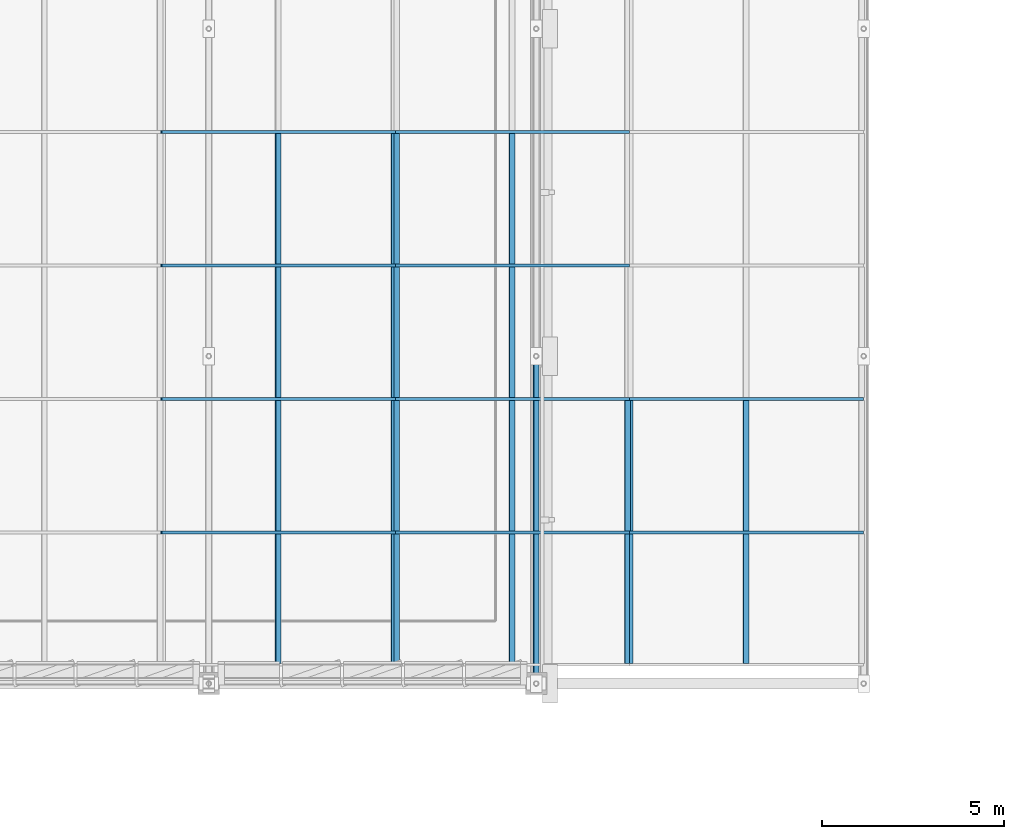
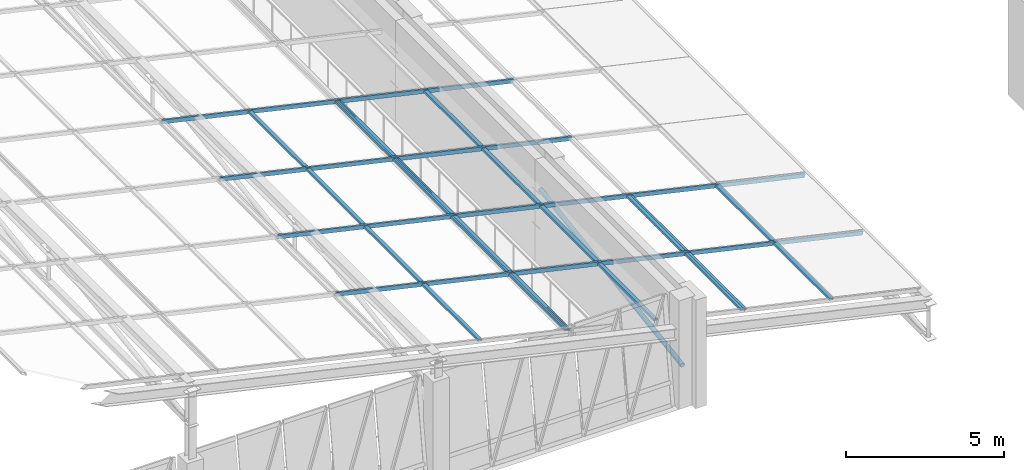
# One storey, part 79 of 130: 33 members, 3 elements without a shape of their own.
"""IFC4 building model written with IfcOpenShell, lengths in metres."""

from ifc_helpers import new_model, si_unit, direction, frame, origin, origin_2d, place, context, subcontext, project, spatial, hollow_rectangle, hollow_circle, extrude, material, material_profile, profile_set, type_object, element, aggregate, save


model = new_model("IFC4")

# Units and contexts
model_context = context("Model", 3, precision=1e-05, world=origin(), true_north=direction((0.0, 1.0)))
body_context = subcontext(model_context, "Body", "Model", "MODEL_VIEW")
ifc_project = project(units=[si_unit("LENGTHUNIT", "METRE"), si_unit("AREAUNIT", "SQUARE_METRE"), si_unit("VOLUMEUNIT", "CUBIC_METRE"), si_unit("PLANEANGLEUNIT", "RADIAN"), si_unit("MASSUNIT", "GRAM", prefix="KILO")], contexts=[model_context])

# Site, building, storey
site_placement = place(None, origin())
site = spatial("IfcSite", under=ifc_project, at=site_placement, CompositionType="ELEMENT")
building_placement = place(site_placement, origin())
building = spatial("IfcBuilding", under=site, at=building_placement, Name="Lykobir Media Centre", CompositionType="ELEMENT")
storey_placement = place(building_placement, frame((0.0, 0.0, 19.199951171875)))
storey = spatial("IfcBuildingStorey", under=building, at=storey_placement, Name="L04", CompositionType="ELEMENT", Elevation=19.199951171875)

# Member
ifc_material_1 = material(Name="Steel S355", Category="steel")
ifc_material_profile_1 = material_profile(ifc_material_1, hollow_circle(Radius=0.084228515625, WallThickness=0.010009765625, at=origin_2d()), Name="CHS 168.3x10.0")
ifc_profile_set_1 = profile_set([ifc_material_profile_1], Name="Steel S355")
member_type_1 = type_object("IfcMemberType", Name="BR-CHS168", PredefinedType="BRACE", material=ifc_profile_set_1)
member_1_placement = place(storey_placement, frame((72.0, 63.0, 1.429931640625), z_axis=(0.0, 0.988934778637, 0.148350947425), x_axis=(-1.0, 0.0, 0.0)))
element("IfcMember", 1, at=member_1_placement, inside=storey, type_object=member_type_1, Name="Diagonal brace MEM2-L04-0720-0630-0206-0720-0720-0486", PredefinedType="BRACE", context=body_context, shape_type="SweptSolid", body=[
    extrude(hollow_circle(Radius=0.084228515625, WallThickness=0.010009765625, at=origin_2d()), origin(), (0.0, 0.0, 1.0), 9.1005859375),
])

# Curtain wall, members
ifc_material_2 = material(Name="Anodized Aluminium AW-6060", Category="aluminium")
curtain_wall_type = type_object("IfcCurtainWallType", Name="CW-V6-SKY", PredefinedType="NOTDEFINED", material=ifc_material_2)
curtain_wall_1_placement = place(storey_placement, origin())
curtain_wall_1 = element("IfcCurtainWall", 2, at=curtain_wall_1_placement, inside=storey, type_object=curtain_wall_type, Name="Curtain wall CW-V6-SKY01", PredefinedType="NOTDEFINED")
ifc_material_profile_2 = material_profile(ifc_material_2, hollow_rectangle(XDim=0.074951171875, YDim=0.14990234375, WallThickness=0.00341796875, at=origin_2d()), Name="ALU TRANSOM 75x150")
ifc_profile_set_2 = profile_set([ifc_material_profile_2], Name="Anodized Aluminium AW-6060")
member_type_2 = type_object("IfcMemberType", Name="CWT-150", PredefinedType="USERDEFINED", material=ifc_profile_set_2)
member_2_placement = place(storey_placement, frame((80.977783203125, 70.820068359375, 0.901611328125), z_axis=(-0.97526330388, 0.0, 0.221046348318), x_axis=(0.0, -1.0, 0.0)))
member_2 = element("IfcMember", 3, at=member_2_placement, type_object=member_type_2, Name="CW-V6-SKY01 rafter transom 11", ObjectType="TRANSOM", PredefinedType="USERDEFINED", context=body_context, shape_type="SweptSolid", body=[
    extrude(hollow_rectangle(XDim=0.074951171875, YDim=0.14990234375, WallThickness=0.00341796875, at=origin_2d()), origin(), (0.0, 0.0, 1.0), 6.591552734375),
])
member_3_placement = place(storey_placement, frame((80.977783203125, 67.14990234375, 0.901611328125), z_axis=(-0.97526330388, 0.0, 0.221046348318), x_axis=(0.0, -1.0, 0.0)))
member_3 = element("IfcMember", 4, at=member_3_placement, type_object=member_type_2, Name="CW-V6-SKY01 rafter transom 12", ObjectType="TRANSOM", PredefinedType="USERDEFINED", context=body_context, shape_type="SweptSolid", body=[
    extrude(hollow_rectangle(XDim=0.074951171875, YDim=0.14990234375, WallThickness=0.00341796875, at=origin_2d()), origin(), (0.0, 0.0, 1.0), 6.591552734375),
])
member_4_placement = place(storey_placement, frame((77.763427734375, 70.782470703125, 1.630126953125), z_axis=(0.0, -1.0, 0.0), x_axis=(0.221054901821, 0.0, 0.975261365164)))
member_4 = element("IfcMember", 5, at=member_4_placement, type_object=member_type_2, Name="CW-V6-SKY01 transom 11.2", ObjectType="TRANSOM", PredefinedType="USERDEFINED", context=body_context, shape_type="SweptSolid", body=[
    extrude(hollow_rectangle(XDim=0.074951171875, YDim=0.14990234375, WallThickness=0.00341796875, at=origin_2d()), origin(), (0.0, 0.0, 1.0), 3.594970703125),
])
member_5_placement = place(storey_placement, frame((74.585693359375, 70.782470703125, 2.350341796875), z_axis=(0.0, -1.0, 0.0), x_axis=(0.221054901821, 0.0, 0.975261365164)))
member_5 = element("IfcMember", 6, at=member_5_placement, type_object=member_type_2, Name="CW-V6-SKY01 transom 11.3", ObjectType="TRANSOM", PredefinedType="USERDEFINED", context=body_context, shape_type="SweptSolid", body=[
    extrude(hollow_rectangle(XDim=0.074951171875, YDim=0.14990234375, WallThickness=0.00341796875, at=origin_2d()), origin(), (0.0, 0.0, 1.0), 3.594970703125),
])
member_6_placement = place(storey_placement, frame((77.763427734375, 67.112548828125, 1.630126953125), z_axis=(0.0, -1.0, 0.0), x_axis=(0.221054901821, 0.0, 0.975261365164)))
member_6 = element("IfcMember", 7, at=member_6_placement, type_object=member_type_2, Name="CW-V6-SKY01 transom 12.2", ObjectType="TRANSOM", PredefinedType="USERDEFINED", context=body_context, shape_type="SweptSolid", body=[
    extrude(hollow_rectangle(XDim=0.074951171875, YDim=0.14990234375, WallThickness=0.00341796875, at=origin_2d()), origin(), (0.0, 0.0, 1.0), 3.5576171875),
])
member_7_placement = place(storey_placement, frame((74.585693359375, 67.112548828125, 2.350341796875), z_axis=(0.0, -1.0, 0.0), x_axis=(0.221054901821, 0.0, 0.975261365164)))
member_7 = element("IfcMember", 8, at=member_7_placement, type_object=member_type_2, Name="CW-V6-SKY01 transom 12.3", ObjectType="TRANSOM", PredefinedType="USERDEFINED", context=body_context, shape_type="SweptSolid", body=[
    extrude(hollow_rectangle(XDim=0.074951171875, YDim=0.14990234375, WallThickness=0.00341796875, at=origin_2d()), origin(), (0.0, 0.0, 1.0), 3.5576171875),
])
aggregate(curtain_wall_1, [member_2, member_3, member_4, member_5, member_6, member_7])

curtain_wall_2_placement = place(storey_placement, origin())
curtain_wall_2 = element("IfcCurtainWall", 9, at=curtain_wall_2_placement, inside=storey, type_object=curtain_wall_type, Name="Curtain wall CW-V6-SKY02", PredefinedType="NOTDEFINED")
member_8_placement = place(storey_placement, frame((74.549072265625, 78.159912109375, 2.358642578125), z_axis=(-0.975255318588, 0.0, 0.221081576721), x_axis=(0.0, -1.0, 0.0)))
member_8 = element("IfcMember", 10, at=member_8_placement, type_object=member_type_2, Name="CW-V6-SKY02 rafter transom 9", ObjectType="TRANSOM", PredefinedType="USERDEFINED", context=body_context, shape_type="SweptSolid", body=[
    extrude(hollow_rectangle(XDim=0.074951171875, YDim=0.14990234375, WallThickness=0.00341796875, at=origin_2d()), origin(), (0.0, 0.0, 1.0), 6.591552734375),
])
member_9_placement = place(storey_placement, frame((74.549072265625, 74.489990234375, 2.358642578125), z_axis=(-0.975255318588, 0.0, 0.221081576721), x_axis=(0.0, -1.0, 0.0)))
member_9 = element("IfcMember", 11, at=member_9_placement, type_object=member_type_2, Name="CW-V6-SKY02 rafter transom 10", ObjectType="TRANSOM", PredefinedType="USERDEFINED", context=body_context, shape_type="SweptSolid", body=[
    extrude(hollow_rectangle(XDim=0.074951171875, YDim=0.14990234375, WallThickness=0.00341796875, at=origin_2d()), origin(), (0.0, 0.0, 1.0), 6.591552734375),
])
member_10_placement = place(storey_placement, frame((74.549072265625, 70.820068359375, 2.358642578125), z_axis=(-0.975255318588, 0.0, 0.221081576721), x_axis=(0.0, -1.0, 0.0)))
member_10 = element("IfcMember", 12, at=member_10_placement, type_object=member_type_2, Name="CW-V6-SKY02 rafter transom 11", ObjectType="TRANSOM", PredefinedType="USERDEFINED", context=body_context, shape_type="SweptSolid", body=[
    extrude(hollow_rectangle(XDim=0.074951171875, YDim=0.14990234375, WallThickness=0.00341796875, at=origin_2d()), origin(), (0.0, 0.0, 1.0), 6.591552734375),
])
member_11_placement = place(storey_placement, frame((74.549072265625, 67.14990234375, 2.358642578125), z_axis=(-0.975255318588, 0.0, 0.221081576721), x_axis=(0.0, -1.0, 0.0)))
member_11 = element("IfcMember", 13, at=member_11_placement, type_object=member_type_2, Name="CW-V6-SKY02 rafter transom 12", ObjectType="TRANSOM", PredefinedType="USERDEFINED", context=body_context, shape_type="SweptSolid", body=[
    extrude(hollow_rectangle(XDim=0.074951171875, YDim=0.14990234375, WallThickness=0.00341796875, at=origin_2d()), origin(), (0.0, 0.0, 1.0), 6.591552734375),
])
member_12_placement = place(storey_placement, frame((71.334716796875, 78.12255859375, 3.087158203125), z_axis=(0.0, -1.0, 0.0), x_axis=(0.221071923309, 0.0, 0.975257506879)))
member_12 = element("IfcMember", 14, at=member_12_placement, type_object=member_type_2, Name="CW-V6-SKY02 transom 9.2", ObjectType="TRANSOM", PredefinedType="USERDEFINED", context=body_context, shape_type="SweptSolid", body=[
    extrude(hollow_rectangle(XDim=0.074951171875, YDim=0.14990234375, WallThickness=0.00341796875, at=origin_2d()), origin(), (0.0, 0.0, 1.0), 3.594970703125),
])
member_13_placement = place(storey_placement, frame((68.1572265625, 78.12255859375, 3.8076171875), z_axis=(0.0, -1.0, 0.0), x_axis=(0.221071923309, 0.0, 0.975257506879)))
member_13 = element("IfcMember", 15, at=member_13_placement, type_object=member_type_2, Name="CW-V6-SKY02 transom 9.3", ObjectType="TRANSOM", PredefinedType="USERDEFINED", context=body_context, shape_type="SweptSolid", body=[
    extrude(hollow_rectangle(XDim=0.074951171875, YDim=0.14990234375, WallThickness=0.00341796875, at=origin_2d()), origin(), (0.0, 0.0, 1.0), 3.594970703125),
])
member_14_placement = place(storey_placement, frame((71.334716796875, 74.452392578125, 3.087158203125), z_axis=(0.0, -1.0, 0.0), x_axis=(0.221071923309, 0.0, 0.975257506879)))
member_14 = element("IfcMember", 16, at=member_14_placement, type_object=member_type_2, Name="CW-V6-SKY02 transom 10.2", ObjectType="TRANSOM", PredefinedType="USERDEFINED", context=body_context, shape_type="SweptSolid", body=[
    extrude(hollow_rectangle(XDim=0.074951171875, YDim=0.14990234375, WallThickness=0.00341796875, at=origin_2d()), origin(), (0.0, 0.0, 1.0), 3.594970703125),
])
member_15_placement = place(storey_placement, frame((68.1572265625, 74.452392578125, 3.8076171875), z_axis=(0.0, -1.0, 0.0), x_axis=(0.221071923309, 0.0, 0.975257506879)))
member_15 = element("IfcMember", 17, at=member_15_placement, type_object=member_type_2, Name="CW-V6-SKY02 transom 10.3", ObjectType="TRANSOM", PredefinedType="USERDEFINED", context=body_context, shape_type="SweptSolid", body=[
    extrude(hollow_rectangle(XDim=0.074951171875, YDim=0.14990234375, WallThickness=0.00341796875, at=origin_2d()), origin(), (0.0, 0.0, 1.0), 3.594970703125),
])
member_16_placement = place(storey_placement, frame((74.512451171875, 70.782470703125, 2.366943359375), z_axis=(0.0, -1.0, 0.0), x_axis=(0.221071923309, 0.0, 0.975257506879)))
member_16 = element("IfcMember", 18, at=member_16_placement, type_object=member_type_2, Name="CW-V6-SKY02 transom 11.1", ObjectType="TRANSOM", PredefinedType="USERDEFINED", context=body_context, shape_type="SweptSolid", body=[
    extrude(hollow_rectangle(XDim=0.074951171875, YDim=0.14990234375, WallThickness=0.00341796875, at=origin_2d()), origin(), (0.0, 0.0, 1.0), 3.594970703125),
])
member_17_placement = place(storey_placement, frame((71.334716796875, 70.782470703125, 3.087158203125), z_axis=(0.0, -1.0, 0.0), x_axis=(0.221071923309, 0.0, 0.975257506879)))
member_17 = element("IfcMember", 19, at=member_17_placement, type_object=member_type_2, Name="CW-V6-SKY02 transom 11.2", ObjectType="TRANSOM", PredefinedType="USERDEFINED", context=body_context, shape_type="SweptSolid", body=[
    extrude(hollow_rectangle(XDim=0.074951171875, YDim=0.14990234375, WallThickness=0.00341796875, at=origin_2d()), origin(), (0.0, 0.0, 1.0), 3.594970703125),
])
member_18_placement = place(storey_placement, frame((68.1572265625, 70.782470703125, 3.8076171875), z_axis=(0.0, -1.0, 0.0), x_axis=(0.221071923309, 0.0, 0.975257506879)))
member_18 = element("IfcMember", 20, at=member_18_placement, type_object=member_type_2, Name="CW-V6-SKY02 transom 11.3", ObjectType="TRANSOM", PredefinedType="USERDEFINED", context=body_context, shape_type="SweptSolid", body=[
    extrude(hollow_rectangle(XDim=0.074951171875, YDim=0.14990234375, WallThickness=0.00341796875, at=origin_2d()), origin(), (0.0, 0.0, 1.0), 3.594970703125),
])
member_19_placement = place(storey_placement, frame((74.512451171875, 67.112548828125, 2.366943359375), z_axis=(0.0, -1.0, 0.0), x_axis=(0.221071923309, 0.0, 0.975257506879)))
member_19 = element("IfcMember", 21, at=member_19_placement, type_object=member_type_2, Name="CW-V6-SKY02 transom 12.1", ObjectType="TRANSOM", PredefinedType="USERDEFINED", context=body_context, shape_type="SweptSolid", body=[
    extrude(hollow_rectangle(XDim=0.074951171875, YDim=0.14990234375, WallThickness=0.00341796875, at=origin_2d()), origin(), (0.0, 0.0, 1.0), 3.5576171875),
])
member_20_placement = place(storey_placement, frame((71.334716796875, 67.112548828125, 3.087158203125), z_axis=(0.0, -1.0, 0.0), x_axis=(0.221071923309, 0.0, 0.975257506879)))
member_20 = element("IfcMember", 22, at=member_20_placement, type_object=member_type_2, Name="CW-V6-SKY02 transom 12.2", ObjectType="TRANSOM", PredefinedType="USERDEFINED", context=body_context, shape_type="SweptSolid", body=[
    extrude(hollow_rectangle(XDim=0.074951171875, YDim=0.14990234375, WallThickness=0.00341796875, at=origin_2d()), origin(), (0.0, 0.0, 1.0), 3.5576171875),
])
member_21_placement = place(storey_placement, frame((68.1572265625, 67.112548828125, 3.8076171875), z_axis=(0.0, -1.0, 0.0), x_axis=(0.221071923309, 0.0, 0.975257506879)))
member_21 = element("IfcMember", 23, at=member_21_placement, type_object=member_type_2, Name="CW-V6-SKY02 transom 12.3", ObjectType="TRANSOM", PredefinedType="USERDEFINED", context=body_context, shape_type="SweptSolid", body=[
    extrude(hollow_rectangle(XDim=0.074951171875, YDim=0.14990234375, WallThickness=0.00341796875, at=origin_2d()), origin(), (0.0, 0.0, 1.0), 3.5576171875),
])
aggregate(curtain_wall_2, [member_8, member_9, member_10, member_11, member_12, member_13, member_14, member_15, member_16, member_17, member_18, member_19, member_20, member_21])

curtain_wall_3_placement = place(storey_placement, origin())
curtain_wall_3 = element("IfcCurtainWall", 24, at=curtain_wall_3_placement, inside=storey, type_object=curtain_wall_type, Name="Curtain wall CW-V6-SKY03", PredefinedType="NOTDEFINED")
member_22_placement = place(storey_placement, frame((68.12060546875, 78.159912109375, 3.81591796875), z_axis=(-0.97526330388, 0.0, 0.221046348318), x_axis=(0.0, -1.0, 0.0)))
member_22 = element("IfcMember", 25, at=member_22_placement, type_object=member_type_2, Name="CW-V6-SKY03 rafter transom 9", ObjectType="TRANSOM", PredefinedType="USERDEFINED", context=body_context, shape_type="SweptSolid", body=[
    extrude(hollow_rectangle(XDim=0.074951171875, YDim=0.14990234375, WallThickness=0.00341796875, at=origin_2d()), origin(), (0.0, 0.0, 1.0), 6.591552734375),
])
member_23_placement = place(storey_placement, frame((68.12060546875, 74.489990234375, 3.81591796875), z_axis=(-0.97526330388, 0.0, 0.221046348318), x_axis=(0.0, -1.0, 0.0)))
member_23 = element("IfcMember", 26, at=member_23_placement, type_object=member_type_2, Name="CW-V6-SKY03 rafter transom 10", ObjectType="TRANSOM", PredefinedType="USERDEFINED", context=body_context, shape_type="SweptSolid", body=[
    extrude(hollow_rectangle(XDim=0.074951171875, YDim=0.14990234375, WallThickness=0.00341796875, at=origin_2d()), origin(), (0.0, 0.0, 1.0), 6.591552734375),
])
member_24_placement = place(storey_placement, frame((68.12060546875, 70.820068359375, 3.81591796875), z_axis=(-0.97526330388, 0.0, 0.221046348318), x_axis=(0.0, -1.0, 0.0)))
member_24 = element("IfcMember", 27, at=member_24_placement, type_object=member_type_2, Name="CW-V6-SKY03 rafter transom 11", ObjectType="TRANSOM", PredefinedType="USERDEFINED", context=body_context, shape_type="SweptSolid", body=[
    extrude(hollow_rectangle(XDim=0.074951171875, YDim=0.14990234375, WallThickness=0.00341796875, at=origin_2d()), origin(), (0.0, 0.0, 1.0), 6.591552734375),
])
member_25_placement = place(storey_placement, frame((68.12060546875, 67.14990234375, 3.81591796875), z_axis=(-0.97526330388, 0.0, 0.221046348318), x_axis=(0.0, -1.0, 0.0)))
member_25 = element("IfcMember", 28, at=member_25_placement, type_object=member_type_2, Name="CW-V6-SKY03 rafter transom 12", ObjectType="TRANSOM", PredefinedType="USERDEFINED", context=body_context, shape_type="SweptSolid", body=[
    extrude(hollow_rectangle(XDim=0.074951171875, YDim=0.14990234375, WallThickness=0.00341796875, at=origin_2d()), origin(), (0.0, 0.0, 1.0), 6.591552734375),
])
member_26_placement = place(storey_placement, frame((68.083984375, 78.12255859375, 3.82421875), z_axis=(0.0, -1.0, 0.0), x_axis=(0.221054901821, 0.0, 0.975261365164)))
member_26 = element("IfcMember", 29, at=member_26_placement, type_object=member_type_2, Name="CW-V6-SKY03 transom 9.1", ObjectType="TRANSOM", PredefinedType="USERDEFINED", context=body_context, shape_type="SweptSolid", body=[
    extrude(hollow_rectangle(XDim=0.074951171875, YDim=0.14990234375, WallThickness=0.00341796875, at=origin_2d()), origin(), (0.0, 0.0, 1.0), 3.594970703125),
])
member_27_placement = place(storey_placement, frame((64.90625, 78.12255859375, 4.54443359375), z_axis=(0.0, -1.0, 0.0), x_axis=(0.221054901821, 0.0, 0.975261365164)))
member_27 = element("IfcMember", 30, at=member_27_placement, type_object=member_type_2, Name="CW-V6-SKY03 transom 9.2", ObjectType="TRANSOM", PredefinedType="USERDEFINED", context=body_context, shape_type="SweptSolid", body=[
    extrude(hollow_rectangle(XDim=0.074951171875, YDim=0.14990234375, WallThickness=0.00341796875, at=origin_2d()), origin(), (0.0, 0.0, 1.0), 3.594970703125),
])
member_28_placement = place(storey_placement, frame((68.083984375, 74.452392578125, 3.82421875), z_axis=(0.0, -1.0, 0.0), x_axis=(0.221054901821, 0.0, 0.975261365164)))
member_28 = element("IfcMember", 31, at=member_28_placement, type_object=member_type_2, Name="CW-V6-SKY03 transom 10.1", ObjectType="TRANSOM", PredefinedType="USERDEFINED", context=body_context, shape_type="SweptSolid", body=[
    extrude(hollow_rectangle(XDim=0.074951171875, YDim=0.14990234375, WallThickness=0.00341796875, at=origin_2d()), origin(), (0.0, 0.0, 1.0), 3.594970703125),
])
member_29_placement = place(storey_placement, frame((64.90625, 74.452392578125, 4.54443359375), z_axis=(0.0, -1.0, 0.0), x_axis=(0.221054901821, 0.0, 0.975261365164)))
member_29 = element("IfcMember", 32, at=member_29_placement, type_object=member_type_2, Name="CW-V6-SKY03 transom 10.2", ObjectType="TRANSOM", PredefinedType="USERDEFINED", context=body_context, shape_type="SweptSolid", body=[
    extrude(hollow_rectangle(XDim=0.074951171875, YDim=0.14990234375, WallThickness=0.00341796875, at=origin_2d()), origin(), (0.0, 0.0, 1.0), 3.594970703125),
])
member_30_placement = place(storey_placement, frame((68.083984375, 70.782470703125, 3.82421875), z_axis=(0.0, -1.0, 0.0), x_axis=(0.221054901821, 0.0, 0.975261365164)))
member_30 = element("IfcMember", 33, at=member_30_placement, type_object=member_type_2, Name="CW-V6-SKY03 transom 11.1", ObjectType="TRANSOM", PredefinedType="USERDEFINED", context=body_context, shape_type="SweptSolid", body=[
    extrude(hollow_rectangle(XDim=0.074951171875, YDim=0.14990234375, WallThickness=0.00341796875, at=origin_2d()), origin(), (0.0, 0.0, 1.0), 3.594970703125),
])
member_31_placement = place(storey_placement, frame((64.90625, 70.782470703125, 4.54443359375), z_axis=(0.0, -1.0, 0.0), x_axis=(0.221054901821, 0.0, 0.975261365164)))
member_31 = element("IfcMember", 34, at=member_31_placement, type_object=member_type_2, Name="CW-V6-SKY03 transom 11.2", ObjectType="TRANSOM", PredefinedType="USERDEFINED", context=body_context, shape_type="SweptSolid", body=[
    extrude(hollow_rectangle(XDim=0.074951171875, YDim=0.14990234375, WallThickness=0.00341796875, at=origin_2d()), origin(), (0.0, 0.0, 1.0), 3.594970703125),
])
member_32_placement = place(storey_placement, frame((68.083984375, 67.112548828125, 3.82421875), z_axis=(0.0, -1.0, 0.0), x_axis=(0.221054901821, 0.0, 0.975261365164)))
member_32 = element("IfcMember", 35, at=member_32_placement, type_object=member_type_2, Name="CW-V6-SKY03 transom 12.1", ObjectType="TRANSOM", PredefinedType="USERDEFINED", context=body_context, shape_type="SweptSolid", body=[
    extrude(hollow_rectangle(XDim=0.074951171875, YDim=0.14990234375, WallThickness=0.00341796875, at=origin_2d()), origin(), (0.0, 0.0, 1.0), 3.5576171875),
])
member_33_placement = place(storey_placement, frame((64.90625, 67.112548828125, 4.54443359375), z_axis=(0.0, -1.0, 0.0), x_axis=(0.221054901821, 0.0, 0.975261365164)))
member_33 = element("IfcMember", 36, at=member_33_placement, type_object=member_type_2, Name="CW-V6-SKY03 transom 12.2", ObjectType="TRANSOM", PredefinedType="USERDEFINED", context=body_context, shape_type="SweptSolid", body=[
    extrude(hollow_rectangle(XDim=0.074951171875, YDim=0.14990234375, WallThickness=0.00341796875, at=origin_2d()), origin(), (0.0, 0.0, 1.0), 3.5576171875),
])
aggregate(curtain_wall_3, [member_22, member_23, member_24, member_25, member_26, member_27, member_28, member_29, member_30, member_31, member_32, member_33])

save(model, "model.ifc")
